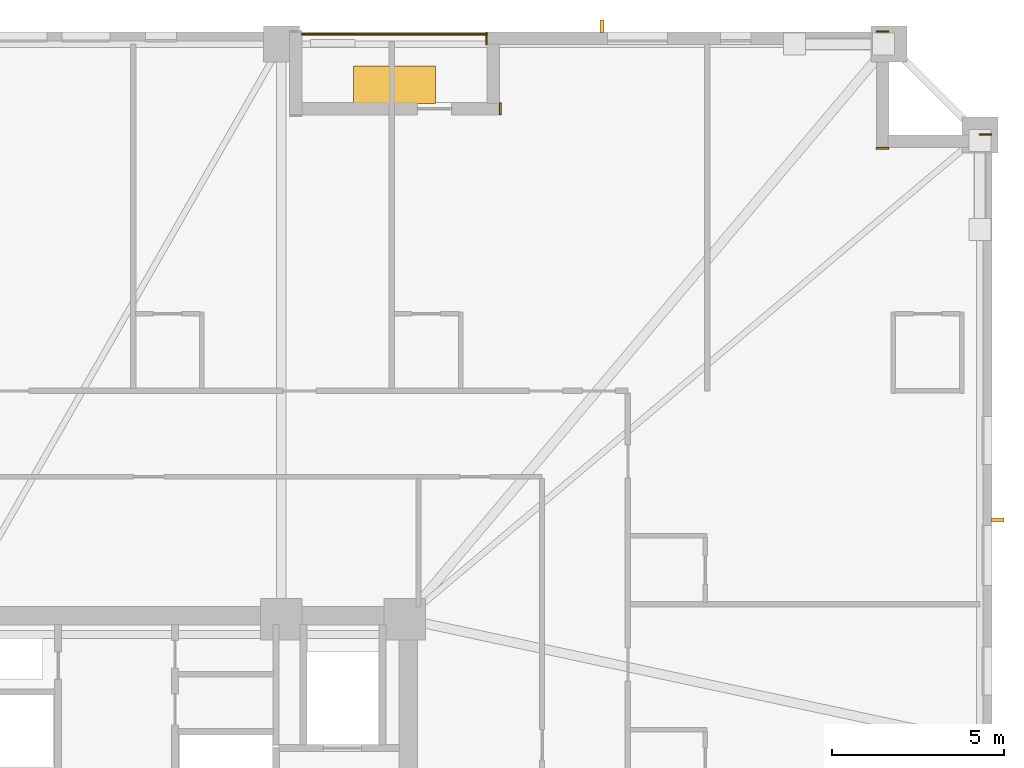
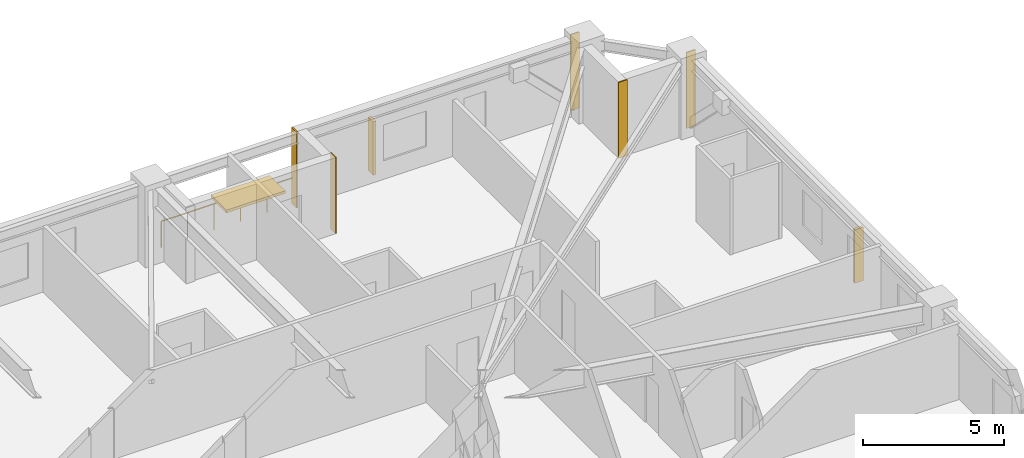
# One storey, part 11 of 11: 5 coverings, 3 shading devices, 1 railing.
"""IFC4 building model written with IfcOpenShell, lengths in metres."""

from ifc_helpers import new_model, si_unit, direction, frame, frame_2d, origin, origin_2d, place, context, subcontext, project, spatial, rectangle, circle, extrude, material, layer, layer_set, type_object, element, save


model = new_model("IFC4")

# Units and contexts
model_context = context("Model", 3, precision=1e-05, world=origin(), true_north=direction((0.0, 1.0)))
body_context = subcontext(model_context, "Body", "Model", "MODEL_VIEW")
ifc_project = project(units=[si_unit("LENGTHUNIT", "METRE"), si_unit("AREAUNIT", "SQUARE_METRE"), si_unit("VOLUMEUNIT", "CUBIC_METRE"), si_unit("PLANEANGLEUNIT", "RADIAN"), si_unit("MASSUNIT", "GRAM", prefix="KILO")], contexts=[model_context])

# Site, building, storey
site_placement = place(None, origin())
site = spatial("IfcSite", under=ifc_project, at=site_placement, CompositionType="ELEMENT")
building_placement = place(site_placement, origin())
building = spatial("IfcBuilding", under=site, at=building_placement, Name="Cairnveth Concourse Tower", CompositionType="ELEMENT")
storey_placement = place(building_placement, frame((0.0, 0.0, 86.5)))
storey = spatial("IfcBuildingStorey", under=building, at=storey_placement, Name="L23", CompositionType="ELEMENT", Elevation=86.5)

# Coverings
ifc_material_1 = material(Name="Dressed Melbourne Bluestone Cladding", Category="masonry")
ifc_layer = layer(ifc_material_1, 0.050048828125)
ifc_layer_set = layer_set([ifc_layer], Name="Dressed Melbourne Bluestone Cladding")
covering_type = type_object("IfcCoveringType", Name="DRESSED BLUESTONE PLINTH CLADDING 50", PredefinedType="CLADDING", material=ifc_layer_set)
for number, where, z_axis, x_axis, name in (
    (1, (62.780029296875, 64.139892578125, 0.0), (0.0, 0.0, 1.0), (0.0, 1.0, 0.0), "Melbourne Bluestone Corner Quoin L23-311"),
    (2, (74.139892578125, 64.52001953125, 0.0), (0.0, 0.0, 1.0), (1.0, 0.0, 0.0), "Melbourne Bluestone Corner Quoin L23-312"),
    (3, (74.139892578125, 61.1201171875, 0.0), (0.0, 0.0, 1.0), (1.0, 0.0, 0.0), "Melbourne Bluestone Corner Quoin L23-313"),
    (4, (77.139892578125, 61.52001953125, 0.0), (0.0, 0.0, 1.0), (1.0, 0.0, 0.0), "Melbourne Bluestone Corner Quoin L23-314"),
):
    element("IfcCovering", number, at=place(storey_placement, frame(where, z_axis=z_axis, x_axis=x_axis)), inside=storey, type_object=covering_type, Name=name, PredefinedType="CLADDING", context=body_context, shape_type="SweptSolid", body=[
        extrude(rectangle(XDim=0.360107421875, YDim=0.050048828125, at=frame_2d((0.18017578125, 0.0))), origin(), (0.0, 0.0, 1.0), 3.280029296875),
    ])
covering_placement = place(storey_placement, frame((63.179931640625, 62.090087890625, 0.0), z_axis=(0.0, 0.0, 1.0), x_axis=(0.0, 1.0, 0.0)))
element("IfcCovering", 5, at=covering_placement, inside=storey, type_object=covering_type, Name="Melbourne Bluestone Corner Quoin L23-326", PredefinedType="CLADDING", context=body_context, shape_type="SweptSolid", body=[
    extrude(rectangle(XDim=0.35986328125, YDim=0.050048828125, at=frame_2d((0.179931640625, 0.0))), origin(), (0.0, 0.0, 1.0), 3.280029296875),
])

# Shading devices
ifc_material_2 = material(Name="Architectural Bronze Anodised Aluminium 6063-T6", Category="aluminium")
shading_device_type_1 = type_object("IfcShadingDeviceType", Name="GOTHIC BRONZE VERTICAL LANCET FIN", PredefinedType="USERDEFINED", material=ifc_material_2)
for number, where, z_axis, x_axis, name in (
    (6, (66.14599609375, 64.675048828125, 0.02978515625), (0.0, 0.0, 1.0), (1.0, 0.0, 0.0), "Gothic Bronze Vertical Fin L23-0-1"),
    (7, (77.675048828125, 50.284423828125, 0.02978515625), (0.0, 0.0, 1.0), (0.0, 1.0, 0.0), "Gothic Bronze Vertical Fin L23-3-3"),
):
    element("IfcShadingDevice", number, at=place(storey_placement, frame(where, z_axis=z_axis, x_axis=x_axis)), inside=storey, type_object=shading_device_type_1, Name=name, ObjectType="VERTICAL FIN", PredefinedType="USERDEFINED", context=body_context, shape_type="SweptSolid", body=[
        extrude(rectangle(XDim=0.1201171875, YDim=0.360107421875, at=origin_2d()), origin(), (0.0, 0.0, 1.0), 2.303955078125),
    ])
shading_device_type_2 = type_object("IfcShadingDeviceType", Name="SPIRAL TERRACE SUNSHADE CANOPY", PredefinedType="USERDEFINED", material=ifc_material_2)
shading_device_placement = place(storey_placement, frame((60.10009765625, 62.969970703125, 2.183837890625), z_axis=(0.0, 0.0, 1.0), x_axis=(1.0, 0.0, 0.0)))
element("IfcShadingDevice", 8, at=shading_device_placement, inside=storey, type_object=shading_device_type_2, Name="Spiral Terrace Sunshade L23", ObjectType="TERRACE SUNSHADE", PredefinedType="USERDEFINED", context=body_context, shape_type="SweptSolid", body=[
    extrude(rectangle(XDim=2.39990234375, YDim=1.10009765625, at=origin_2d()), origin(), (0.0, 0.0, 1.0), 0.1201171875),
])

# Railing
railing_type = type_object("IfcRailingType", Name="TERRACE BRONZE BALUSTRADE 1150", PredefinedType="BALUSTRADE", material=ifc_material_2)
railing_placement = place(storey_placement, frame((57.39990234375, 64.43994140625, 0.0)))
element("IfcRailing", 9, at=railing_placement, inside=storey, type_object=railing_type, Name="Terrace Balustrade RL-L23-TERR", PredefinedType="BALUSTRADE", context=body_context, shape_type="SweptSolid", body=[
    extrude(circle(Radius=0.02490234375, at=origin_2d()), frame((0.0, 0.0, 1.125), z_axis=(1.0, 0.0, 0.0), x_axis=(0.0, 1.0, 0.0)), (0.0, 0.0, 1.0), 5.400146484375),
    extrude(circle(Radius=0.02099609375, at=origin_2d()), origin(), (0.0, 0.0, 1.0), 1.099853515625),
    extrude(circle(Radius=0.02099609375, at=origin_2d()), frame((1.080078125, 0.0, 0.0)), (0.0, 0.0, 1.0), 1.099853515625),
    extrude(circle(Radius=0.02099609375, at=origin_2d()), frame((2.16015625, 0.0, 0.0)), (0.0, 0.0, 1.0), 1.099853515625),
    extrude(circle(Radius=0.02099609375, at=origin_2d()), frame((3.239990234375, 0.0, 0.0)), (0.0, 0.0, 1.0), 1.099853515625),
    extrude(circle(Radius=0.02099609375, at=origin_2d()), frame((4.320068359375, 0.0, 0.0)), (0.0, 0.0, 1.0), 1.099853515625),
    extrude(circle(Radius=0.02099609375, at=origin_2d()), frame((5.400146484375, 0.0, 0.0)), (0.0, 0.0, 1.0), 1.099853515625),
])

save(model, "model.ifc")
